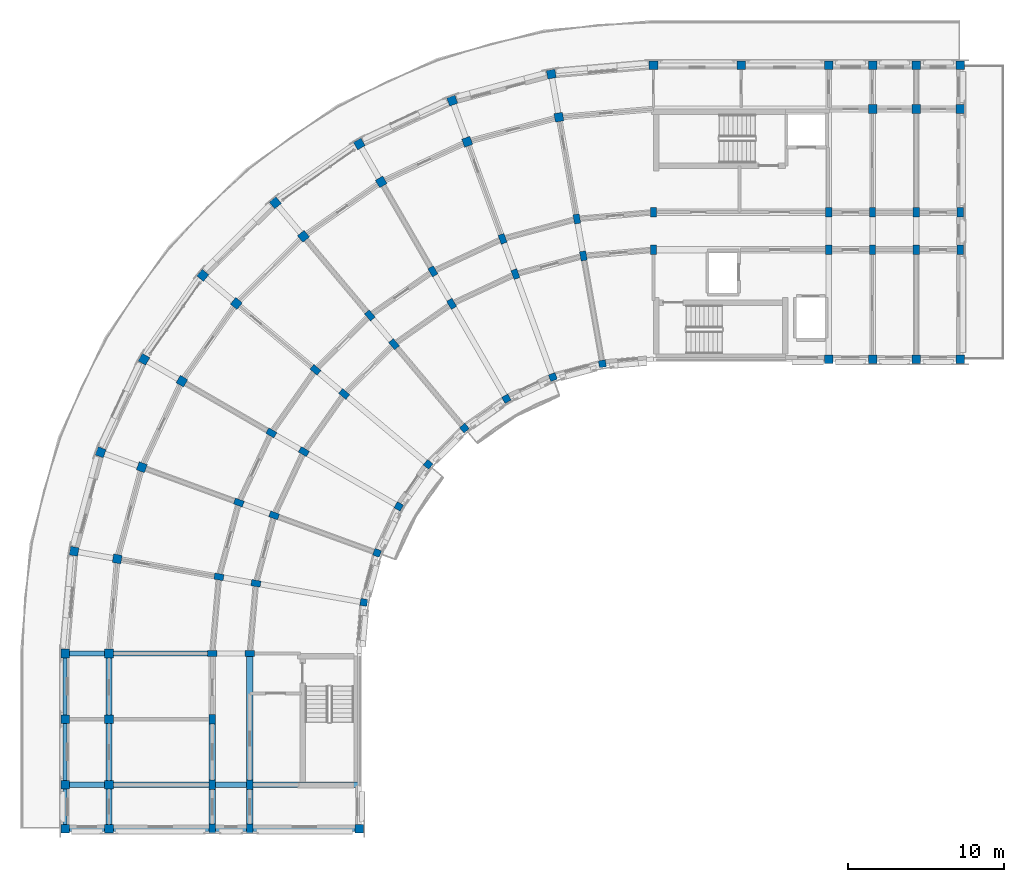
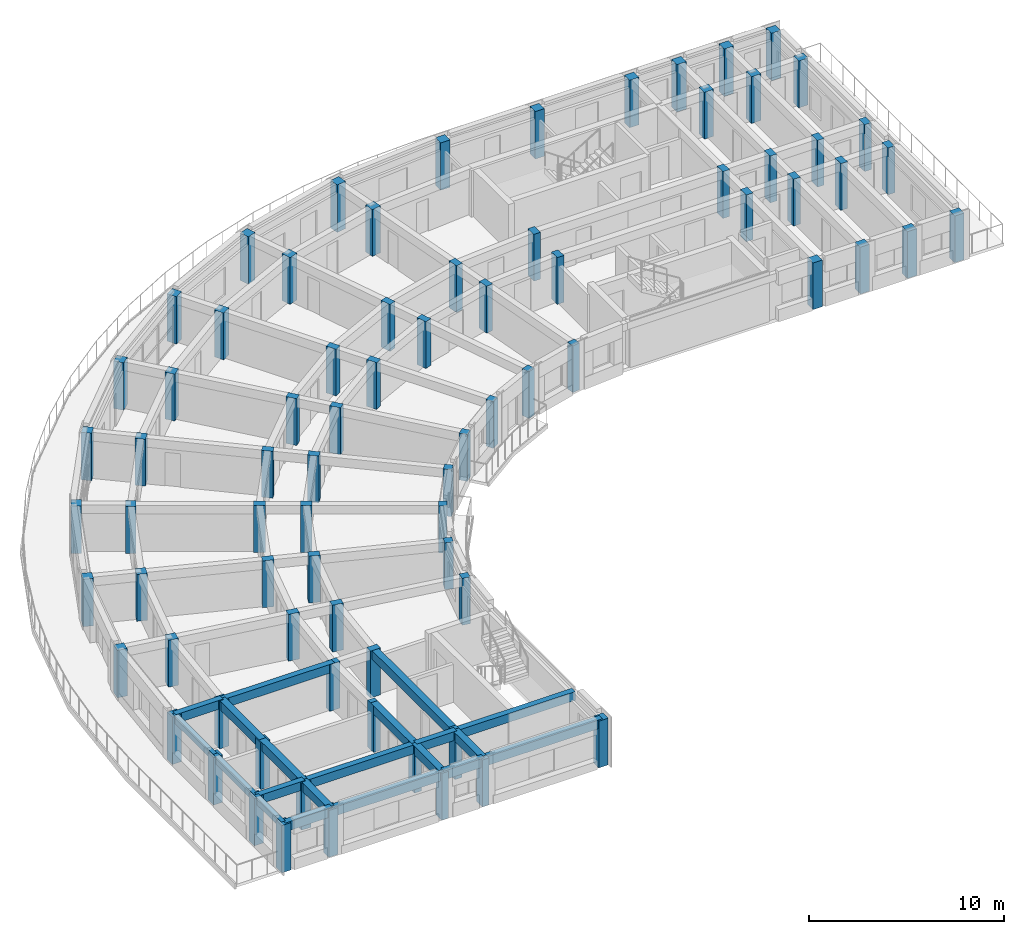
# One storey, part 1 of 16: 79 columns, 20 beams.
"""IFC4 building model written with IfcOpenShell, lengths in metres."""

from ifc_helpers import new_model, si_unit, direction, frame, origin, origin_2d, place, context, subcontext, project, spatial, rectangle, extrude, material, material_profile, profile_set, type_object, element, save


model = new_model("IFC4")

# Units and contexts
model_context = context("Model", 3, precision=1e-05, world=origin(), true_north=direction((0.0, 1.0)))
body_context = subcontext(model_context, "Body", "Model", "MODEL_VIEW")
ifc_project = project(units=[si_unit("LENGTHUNIT", "METRE"), si_unit("AREAUNIT", "SQUARE_METRE"), si_unit("VOLUMEUNIT", "CUBIC_METRE"), si_unit("PLANEANGLEUNIT", "RADIAN"), si_unit("MASSUNIT", "GRAM", prefix="KILO")], contexts=[model_context])

# Site, building, storey
site_placement = place(None, origin())
site = spatial("IfcSite", under=ifc_project, at=site_placement, CompositionType="ELEMENT")
building_placement = place(site_placement, origin())
building = spatial("IfcBuilding", under=site, at=building_placement, Name="Kiranvali Square Residences", CompositionType="ELEMENT")
storey_placement = place(building_placement, frame((0.0, 0.0, 46.5)))
storey = spatial("IfcBuildingStorey", under=building, at=storey_placement, Name="L14", CompositionType="ELEMENT", Elevation=46.5)

# Columns
ifc_material_1 = material(Name="Concrete M40 (40 MPa)", Category="concrete")
ifc_material_profile_1 = material_profile(ifc_material_1, rectangle(XDim=0.449951171875, YDim=0.449951171875, at=origin_2d()), Name="RC 450x450")
ifc_profile_set_1 = profile_set([ifc_material_profile_1], Name="Concrete M40 (40 MPa)")
column_type_1 = type_object("IfcColumnType", Name="COL-M40-450", PredefinedType="COLUMN", material=ifc_profile_set_1)
for number, where, z_axis, x_axis, name in (
    (1, (44.935302734375, 106.314453125, 0.0), (0.0, 0.0, 1.0), (0.984807753012, 0.173648177667, 0.0), "Block A L14 radial column A01-R0"),
    (2, (41.77001953125, 105.46630859375, 0.0), (0.0, 0.0, 1.0), (0.939692620786, 0.342020143326, 0.0), "Block A L14 radial column A02-R0"),
    (3, (38.800048828125, 104.081298828125, 0.0), (0.0, 0.0, 1.0), (0.866025403784, 0.5, 0.0), "Block A L14 radial column A03-R0"),
    (4, (36.115478515625, 102.20166015625, 0.0), (0.0, 0.0, 1.0), (0.766044443119, 0.642787609687, 0.0), "Block A L14 radial column A04-R0"),
    (5, (33.79833984375, 99.884521484375, 0.0), (0.0, 0.0, 1.0), (0.642787609687, 0.766044443119, 0.0), "Block A L14 radial column A05-R0"),
    (6, (31.918701171875, 97.199951171875, 0.0), (0.0, 0.0, 1.0), (0.5, 0.866025403784, 0.0), "Block A L14 radial column A06-R0"),
    (7, (30.53369140625, 94.22998046875, 0.0), (0.0, 0.0, 1.0), (0.342020143326, 0.939692620786, 0.0), "Block A L14 radial column A07-R0"),
    (8, (29.685546875, 91.064697265625, 0.0), (0.0, 0.0, 1.0), (0.173648177667, 0.984807753012, 0.0), "Block A L14 radial column A08-R0"),
):
    element("IfcColumn", number, at=place(storey_placement, frame(where, z_axis=z_axis, x_axis=x_axis)), inside=storey, type_object=column_type_1, Name=name, PredefinedType="COLUMN", context=body_context, shape_type="SweptSolid", body=[
        extrude(rectangle(XDim=0.449951171875, YDim=0.449951171875, at=origin_2d()), origin(), (0.0, 0.0, 1.0), 2.929931640625),
    ])
ifc_material_profile_2 = material_profile(ifc_material_1, rectangle(XDim=0.550048828125, YDim=0.550048828125, at=origin_2d()), Name="RC 550x550")
ifc_profile_set_2 = profile_set([ifc_material_profile_2], Name="Concrete M40 (40 MPa)")
column_type_2 = type_object("IfcColumnType", Name="COL-M40-550", PredefinedType="COLUMN", material=ifc_profile_set_2)
column_1_placement = place(storey_placement, frame((48.199951171875, 125.39990234375, 0.0), z_axis=(0.0, 0.0, 1.0), x_axis=(1.0, 0.0, 0.0)))
element("IfcColumn", 9, at=column_1_placement, inside=storey, type_object=column_type_2, Name="Block A L14 radial column A00-R4", PredefinedType="COLUMN", context=body_context, shape_type="SweptSolid", body=[
    extrude(rectangle(XDim=0.550048828125, YDim=0.550048828125, at=origin_2d()), origin(), (0.0, 0.0, 1.0), 2.969970703125),
])
column_2_placement = place(storey_placement, frame((42.156982421875, 122.0712890625, 0.0), z_axis=(0.0, 0.0, 1.0), x_axis=(0.984807753012, 0.173648177667, 0.0)))
element("IfcColumn", 10, at=column_2_placement, inside=storey, type_object=column_type_2, Name="Block A L14 radial column A01-R3", PredefinedType="COLUMN", context=body_context, shape_type="SweptSolid", body=[
    extrude(rectangle(XDim=0.550048828125, YDim=0.550048828125, at=origin_2d()), origin(), (0.0, 0.0, 1.0), 2.929931640625),
])
column_3_placement = place(storey_placement, frame((41.6708984375, 124.828857421875, 0.0), z_axis=(0.0, 0.0, 1.0), x_axis=(0.984807753012, 0.173648177667, 0.0)))
element("IfcColumn", 11, at=column_3_placement, inside=storey, type_object=column_type_2, Name="Block A L14 radial column A01-R4", PredefinedType="COLUMN", context=body_context, shape_type="SweptSolid", body=[
    extrude(rectangle(XDim=0.550048828125, YDim=0.550048828125, at=origin_2d()), origin(), (0.0, 0.0, 1.0), 2.969970703125),
])
column_4_placement = place(storey_placement, frame((36.297607421875, 120.501220703125, 0.0), z_axis=(0.0, 0.0, 1.0), x_axis=(0.939692620786, 0.342020143326, 0.0)))
element("IfcColumn", 12, at=column_4_placement, inside=storey, type_object=column_type_2, Name="Block A L14 radial column A02-R3", PredefinedType="COLUMN", context=body_context, shape_type="SweptSolid", body=[
    extrude(rectangle(XDim=0.550048828125, YDim=0.550048828125, at=origin_2d()), origin(), (0.0, 0.0, 1.0), 2.929931640625),
])
column_5_placement = place(storey_placement, frame((35.340087890625, 123.13232421875, 0.0), z_axis=(0.0, 0.0, 1.0), x_axis=(0.939692620786, 0.342020143326, 0.0)))
element("IfcColumn", 13, at=column_5_placement, inside=storey, type_object=column_type_2, Name="Block A L14 radial column A02-R4", PredefinedType="COLUMN", context=body_context, shape_type="SweptSolid", body=[
    extrude(rectangle(XDim=0.550048828125, YDim=0.550048828125, at=origin_2d()), origin(), (0.0, 0.0, 1.0), 2.969970703125),
])
column_6_placement = place(storey_placement, frame((30.800048828125, 117.937744140625, 0.0), z_axis=(0.0, 0.0, 1.0), x_axis=(0.866025403784, 0.5, 0.0)))
element("IfcColumn", 14, at=column_6_placement, inside=storey, type_object=column_type_2, Name="Block A L14 radial column A03-R3", PredefinedType="COLUMN", context=body_context, shape_type="SweptSolid", body=[
    extrude(rectangle(XDim=0.550048828125, YDim=0.550048828125, at=origin_2d()), origin(), (0.0, 0.0, 1.0), 2.929931640625),
])
column_7_placement = place(storey_placement, frame((29.39990234375, 120.362548828125, 0.0), z_axis=(0.0, 0.0, 1.0), x_axis=(0.866025403784, 0.5, 0.0)))
element("IfcColumn", 15, at=column_7_placement, inside=storey, type_object=column_type_2, Name="Block A L14 radial column A03-R4", PredefinedType="COLUMN", context=body_context, shape_type="SweptSolid", body=[
    extrude(rectangle(XDim=0.550048828125, YDim=0.550048828125, at=origin_2d()), origin(), (0.0, 0.0, 1.0), 2.969970703125),
])
column_8_placement = place(storey_placement, frame((25.8310546875, 114.458251953125, 0.0), z_axis=(0.0, 0.0, 1.0), x_axis=(0.766044443119, 0.642787609687, 0.0)))
element("IfcColumn", 16, at=column_8_placement, inside=storey, type_object=column_type_2, Name="Block A L14 radial column A04-R3", PredefinedType="COLUMN", context=body_context, shape_type="SweptSolid", body=[
    extrude(rectangle(XDim=0.550048828125, YDim=0.550048828125, at=origin_2d()), origin(), (0.0, 0.0, 1.0), 2.929931640625),
])
column_9_placement = place(storey_placement, frame((24.03125, 116.603271484375, 0.0), z_axis=(0.0, 0.0, 1.0), x_axis=(0.766044443119, 0.642787609687, 0.0)))
element("IfcColumn", 17, at=column_9_placement, inside=storey, type_object=column_type_2, Name="Block A L14 radial column A04-R4", PredefinedType="COLUMN", context=body_context, shape_type="SweptSolid", body=[
    extrude(rectangle(XDim=0.550048828125, YDim=0.550048828125, at=origin_2d()), origin(), (0.0, 0.0, 1.0), 2.969970703125),
])
column_10_placement = place(storey_placement, frame((21.541748046875, 110.1689453125, 0.0), z_axis=(0.0, 0.0, 1.0), x_axis=(0.642787609687, 0.766044443119, 0.0)))
element("IfcColumn", 18, at=column_10_placement, inside=storey, type_object=column_type_2, Name="Block A L14 radial column A05-R3", PredefinedType="COLUMN", context=body_context, shape_type="SweptSolid", body=[
    extrude(rectangle(XDim=0.550048828125, YDim=0.550048828125, at=origin_2d()), origin(), (0.0, 0.0, 1.0), 2.929931640625),
])
column_11_placement = place(storey_placement, frame((19.396728515625, 111.96875, 0.0), z_axis=(0.0, 0.0, 1.0), x_axis=(0.642787609687, 0.766044443119, 0.0)))
element("IfcColumn", 19, at=column_11_placement, inside=storey, type_object=column_type_2, Name="Block A L14 radial column A05-R4", PredefinedType="COLUMN", context=body_context, shape_type="SweptSolid", body=[
    extrude(rectangle(XDim=0.550048828125, YDim=0.550048828125, at=origin_2d()), origin(), (0.0, 0.0, 1.0), 2.969970703125),
])
column_12_placement = place(storey_placement, frame((18.062255859375, 105.199951171875, 0.0), z_axis=(0.0, 0.0, 1.0), x_axis=(0.5, 0.866025403784, 0.0)))
element("IfcColumn", 20, at=column_12_placement, inside=storey, type_object=column_type_2, Name="Block A L14 radial column A06-R3", PredefinedType="COLUMN", context=body_context, shape_type="SweptSolid", body=[
    extrude(rectangle(XDim=0.550048828125, YDim=0.550048828125, at=origin_2d()), origin(), (0.0, 0.0, 1.0), 2.929931640625),
])
column_13_placement = place(storey_placement, frame((15.637451171875, 106.60009765625, 0.0), z_axis=(0.0, 0.0, 1.0), x_axis=(0.5, 0.866025403784, 0.0)))
element("IfcColumn", 21, at=column_13_placement, inside=storey, type_object=column_type_2, Name="Block A L14 radial column A06-R4", PredefinedType="COLUMN", context=body_context, shape_type="SweptSolid", body=[
    extrude(rectangle(XDim=0.550048828125, YDim=0.550048828125, at=origin_2d()), origin(), (0.0, 0.0, 1.0), 2.969970703125),
])
column_14_placement = place(storey_placement, frame((15.498779296875, 99.702392578125, 0.0), z_axis=(0.0, 0.0, 1.0), x_axis=(0.342020143326, 0.939692620786, 0.0)))
element("IfcColumn", 22, at=column_14_placement, inside=storey, type_object=column_type_2, Name="Block A L14 radial column A07-R3", PredefinedType="COLUMN", context=body_context, shape_type="SweptSolid", body=[
    extrude(rectangle(XDim=0.550048828125, YDim=0.550048828125, at=origin_2d()), origin(), (0.0, 0.0, 1.0), 2.929931640625),
])
column_15_placement = place(storey_placement, frame((12.86767578125, 100.659912109375, 0.0), z_axis=(0.0, 0.0, 1.0), x_axis=(0.342020143326, 0.939692620786, 0.0)))
element("IfcColumn", 23, at=column_15_placement, inside=storey, type_object=column_type_2, Name="Block A L14 radial column A07-R4", PredefinedType="COLUMN", context=body_context, shape_type="SweptSolid", body=[
    extrude(rectangle(XDim=0.550048828125, YDim=0.550048828125, at=origin_2d()), origin(), (0.0, 0.0, 1.0), 2.969970703125),
])
column_16_placement = place(storey_placement, frame((13.9287109375, 93.843017578125, 0.0), z_axis=(0.0, 0.0, 1.0), x_axis=(0.173648177667, 0.984807753012, 0.0)))
element("IfcColumn", 24, at=column_16_placement, inside=storey, type_object=column_type_2, Name="Block A L14 radial column A08-R3", PredefinedType="COLUMN", context=body_context, shape_type="SweptSolid", body=[
    extrude(rectangle(XDim=0.550048828125, YDim=0.550048828125, at=origin_2d()), origin(), (0.0, 0.0, 1.0), 2.929931640625),
])
column_17_placement = place(storey_placement, frame((11.171142578125, 94.3291015625, 0.0), z_axis=(0.0, 0.0, 1.0), x_axis=(0.173648177667, 0.984807753012, 0.0)))
element("IfcColumn", 25, at=column_17_placement, inside=storey, type_object=column_type_2, Name="Block A L14 radial column A08-R4", PredefinedType="COLUMN", context=body_context, shape_type="SweptSolid", body=[
    extrude(rectangle(XDim=0.550048828125, YDim=0.550048828125, at=origin_2d()), origin(), (0.0, 0.0, 1.0), 2.969970703125),
])
column_18_placement = place(storey_placement, frame((13.39990234375, 87.800048828125, 0.0), z_axis=(0.0, 0.0, 1.0), x_axis=(0.0, 1.0, 0.0)))
element("IfcColumn", 26, at=column_18_placement, inside=storey, type_object=column_type_2, Name="Block A L14 radial column A09-R3", PredefinedType="COLUMN", context=body_context, shape_type="SweptSolid", body=[
    extrude(rectangle(XDim=0.550048828125, YDim=0.550048828125, at=origin_2d()), origin(), (0.0, 0.0, 1.0), 2.929931640625),
])
for number, where, z_axis, x_axis, name in (
    (27, (10.60009765625, 87.800048828125, 0.0), (0.0, 0.0, 1.0), (0.0, 1.0, 0.0), "Block A L14 radial column A09-R4"),
    (28, (53.800048828125, 125.39990234375, 0.0), (0.0, 0.0, 1.0), (1.0, 0.0, 0.0), "Block A L14 core-front column U0-R4"),
):
    element("IfcColumn", number, at=place(storey_placement, frame(where, z_axis=z_axis, x_axis=x_axis)), inside=storey, type_object=column_type_2, Name=name, PredefinedType="COLUMN", context=body_context, shape_type="SweptSolid", body=[
        extrude(rectangle(XDim=0.550048828125, YDim=0.550048828125, at=origin_2d()), origin(), (0.0, 0.0, 1.0), 2.969970703125),
    ])
column_19_placement = place(storey_placement, frame((59.39990234375, 106.60009765625, 0.0), z_axis=(0.0, 0.0, 1.0), x_axis=(1.0, 0.0, 0.0)))
element("IfcColumn", 29, at=column_19_placement, inside=storey, type_object=column_type_2, Name="Block A L14 Arm 1 column U1-R0", PredefinedType="COLUMN", context=body_context, shape_type="SweptSolid", body=[
    extrude(rectangle(XDim=0.550048828125, YDim=0.550048828125, at=origin_2d()), origin(), (0.0, 0.0, 1.0), 2.929931640625),
])
column_20_placement = place(storey_placement, frame((59.39990234375, 125.39990234375, 0.0), z_axis=(0.0, 0.0, 1.0), x_axis=(1.0, 0.0, 0.0)))
element("IfcColumn", 30, at=column_20_placement, inside=storey, type_object=column_type_2, Name="Block A L14 Arm 1 column U1-R4", PredefinedType="COLUMN", context=body_context, shape_type="SweptSolid", body=[
    extrude(rectangle(XDim=0.550048828125, YDim=0.550048828125, at=origin_2d()), origin(), (0.0, 0.0, 1.0), 2.969970703125),
])
for number, where, z_axis, x_axis, name in (
    (31, (62.199951171875, 106.60009765625, 0.0), (0.0, 0.0, 1.0), (1.0, 0.0, 0.0), "Block A L14 Arm 1 column U2-R0"),
    (32, (62.199951171875, 122.60009765625, 0.0), (0.0, 0.0, 1.0), (1.0, 0.0, 0.0), "Block A L14 Arm 1 column U2-R3"),
):
    element("IfcColumn", number, at=place(storey_placement, frame(where, z_axis=z_axis, x_axis=x_axis)), inside=storey, type_object=column_type_2, Name=name, PredefinedType="COLUMN", context=body_context, shape_type="SweptSolid", body=[
        extrude(rectangle(XDim=0.550048828125, YDim=0.550048828125, at=origin_2d()), origin(), (0.0, 0.0, 1.0), 2.929931640625),
    ])
column_21_placement = place(storey_placement, frame((62.199951171875, 125.39990234375, 0.0), z_axis=(0.0, 0.0, 1.0), x_axis=(1.0, 0.0, 0.0)))
element("IfcColumn", 33, at=column_21_placement, inside=storey, type_object=column_type_2, Name="Block A L14 Arm 1 column U2-R4", PredefinedType="COLUMN", context=body_context, shape_type="SweptSolid", body=[
    extrude(rectangle(XDim=0.550048828125, YDim=0.550048828125, at=origin_2d()), origin(), (0.0, 0.0, 1.0), 2.969970703125),
])
for number, where, z_axis, x_axis, name in (
    (34, (65.0, 106.60009765625, 0.0), (0.0, 0.0, 1.0), (1.0, 0.0, 0.0), "Block A L14 Arm 1 column U3-R0"),
    (35, (65.0, 122.60009765625, 0.0), (0.0, 0.0, 1.0), (1.0, 0.0, 0.0), "Block A L14 Arm 1 column U3-R3"),
):
    element("IfcColumn", number, at=place(storey_placement, frame(where, z_axis=z_axis, x_axis=x_axis)), inside=storey, type_object=column_type_2, Name=name, PredefinedType="COLUMN", context=body_context, shape_type="SweptSolid", body=[
        extrude(rectangle(XDim=0.550048828125, YDim=0.550048828125, at=origin_2d()), origin(), (0.0, 0.0, 1.0), 2.929931640625),
    ])
column_22_placement = place(storey_placement, frame((65.0, 125.39990234375, 0.0), z_axis=(0.0, 0.0, 1.0), x_axis=(1.0, 0.0, 0.0)))
element("IfcColumn", 36, at=column_22_placement, inside=storey, type_object=column_type_2, Name="Block A L14 Arm 1 column U3-R4", PredefinedType="COLUMN", context=body_context, shape_type="SweptSolid", body=[
    extrude(rectangle(XDim=0.550048828125, YDim=0.550048828125, at=origin_2d()), origin(), (0.0, 0.0, 1.0), 2.969970703125),
])
for number, where, z_axis, x_axis, name in (
    (37, (67.800048828125, 106.60009765625, 0.0), (0.0, 0.0, 1.0), (1.0, 0.0, 0.0), "Block A L14 Arm 1 column U4-R0"),
    (38, (67.800048828125, 122.60009765625, 0.0), (0.0, 0.0, 1.0), (1.0, 0.0, 0.0), "Block A L14 Arm 1 column U4-R3"),
):
    element("IfcColumn", number, at=place(storey_placement, frame(where, z_axis=z_axis, x_axis=x_axis)), inside=storey, type_object=column_type_2, Name=name, PredefinedType="COLUMN", context=body_context, shape_type="SweptSolid", body=[
        extrude(rectangle(XDim=0.550048828125, YDim=0.550048828125, at=origin_2d()), origin(), (0.0, 0.0, 1.0), 2.929931640625),
    ])
column_23_placement = place(storey_placement, frame((67.800048828125, 125.39990234375, 0.0), z_axis=(0.0, 0.0, 1.0), x_axis=(1.0, 0.0, 0.0)))
element("IfcColumn", 39, at=column_23_placement, inside=storey, type_object=column_type_2, Name="Block A L14 Arm 1 column U4-R4", PredefinedType="COLUMN", context=body_context, shape_type="SweptSolid", body=[
    extrude(rectangle(XDim=0.550048828125, YDim=0.550048828125, at=origin_2d()), origin(), (0.0, 0.0, 1.0), 2.969970703125),
])
column_24_placement = place(storey_placement, frame((13.39990234375, 83.60009765625, 0.0), z_axis=(0.0, 0.0, 1.0), x_axis=(1.0, 0.0, 0.0)))
element("IfcColumn", 40, at=column_24_placement, inside=storey, type_object=column_type_2, Name="Block A L14 Arm 2 mid-core column V0-R3", PredefinedType="COLUMN", context=body_context, shape_type="SweptSolid", body=[
    extrude(rectangle(XDim=0.550048828125, YDim=0.550048828125, at=origin_2d()), origin(), (0.0, 0.0, 1.0), 2.929931640625),
])
column_25_placement = place(storey_placement, frame((10.60009765625, 83.60009765625, 0.0), z_axis=(0.0, 0.0, 1.0), x_axis=(1.0, 0.0, 0.0)))
element("IfcColumn", 41, at=column_25_placement, inside=storey, type_object=column_type_2, Name="Block A L14 Arm 2 mid-core column V0-R4", PredefinedType="COLUMN", context=body_context, shape_type="SweptSolid", body=[
    extrude(rectangle(XDim=0.550048828125, YDim=0.550048828125, at=origin_2d()), origin(), (0.0, 0.0, 1.0), 2.969970703125),
])
column_26_placement = place(storey_placement, frame((13.39990234375, 79.39990234375, 0.0), z_axis=(0.0, 0.0, 1.0), x_axis=(1.0, 0.0, 0.0)))
element("IfcColumn", 42, at=column_26_placement, inside=storey, type_object=column_type_2, Name="Block A L14 Arm 2 column V1-R3", PredefinedType="COLUMN", context=body_context, shape_type="SweptSolid", body=[
    extrude(rectangle(XDim=0.550048828125, YDim=0.550048828125, at=origin_2d()), origin(), (0.0, 0.0, 1.0), 2.929931640625),
])
column_27_placement = place(storey_placement, frame((10.60009765625, 79.39990234375, 0.0), z_axis=(0.0, 0.0, 1.0), x_axis=(1.0, 0.0, 0.0)))
element("IfcColumn", 43, at=column_27_placement, inside=storey, type_object=column_type_2, Name="Block A L14 Arm 2 column V1-R4", PredefinedType="COLUMN", context=body_context, shape_type="SweptSolid", body=[
    extrude(rectangle(XDim=0.550048828125, YDim=0.550048828125, at=origin_2d()), origin(), (0.0, 0.0, 1.0), 2.969970703125),
])
for number, where, z_axis, x_axis, name in (
    (44, (29.39990234375, 76.60009765625, 0.0), (0.0, 0.0, 1.0), (1.0, 0.0, 0.0), "Block A L14 Arm 2 column V2-R0"),
    (45, (13.39990234375, 76.60009765625, 0.0), (0.0, 0.0, 1.0), (1.0, 0.0, 0.0), "Block A L14 Arm 2 column V2-R3"),
):
    element("IfcColumn", number, at=place(storey_placement, frame(where, z_axis=z_axis, x_axis=x_axis)), inside=storey, type_object=column_type_2, Name=name, PredefinedType="COLUMN", context=body_context, shape_type="SweptSolid", body=[
        extrude(rectangle(XDim=0.550048828125, YDim=0.550048828125, at=origin_2d()), origin(), (0.0, 0.0, 1.0), 2.929931640625),
    ])
column_28_placement = place(storey_placement, frame((10.60009765625, 76.60009765625, 0.0), z_axis=(0.0, 0.0, 1.0), x_axis=(1.0, 0.0, 0.0)))
element("IfcColumn", 46, at=column_28_placement, inside=storey, type_object=column_type_2, Name="Block A L14 Arm 2 column V2-R4", PredefinedType="COLUMN", context=body_context, shape_type="SweptSolid", body=[
    extrude(rectangle(XDim=0.550048828125, YDim=0.550048828125, at=origin_2d()), origin(), (0.0, 0.0, 1.0), 2.969970703125),
])
ifc_material_profile_3 = material_profile(ifc_material_1, rectangle(XDim=0.39990234375, YDim=0.60009765625, at=origin_2d()), Name="RC 600x400")
ifc_profile_set_3 = profile_set([ifc_material_profile_3], Name="Concrete M40 (40 MPa)")
column_type_3 = type_object("IfcColumnType", Name="COL-M40-600x400", PredefinedType="COLUMN", material=ifc_profile_set_3)
for number, where, z_axis, x_axis, name in (
    (47, (48.199951171875, 113.60009765625, 0.0), (0.0, 0.0, 1.0), (1.0, 0.0, 0.0), "Block A L14 radial column A00-R1"),
    (48, (48.199951171875, 116.0, 0.0), (0.0, 0.0, 1.0), (1.0, 0.0, 0.0), "Block A L14 radial column A00-R2"),
    (49, (43.719970703125, 113.2080078125, 0.0), (0.0, 0.0, 1.0), (0.984807753012, 0.173648177667, 0.0), "Block A L14 radial column A01-R1"),
    (50, (43.30322265625, 115.571533203125, 0.0), (0.0, 0.0, 1.0), (0.984807753012, 0.173648177667, 0.0), "Block A L14 radial column A01-R2"),
    (51, (39.3759765625, 112.044189453125, 0.0), (0.0, 0.0, 1.0), (0.939692620786, 0.342020143326, 0.0), "Block A L14 radial column A02-R1"),
    (52, (38.554931640625, 114.29931640625, 0.0), (0.0, 0.0, 1.0), (0.939692620786, 0.342020143326, 0.0), "Block A L14 radial column A02-R2"),
    (53, (35.300048828125, 110.1435546875, 0.0), (0.0, 0.0, 1.0), (0.866025403784, 0.5, 0.0), "Block A L14 radial column A03-R1"),
    (54, (34.10009765625, 112.221923828125, 0.0), (0.0, 0.0, 1.0), (0.866025403784, 0.5, 0.0), "Block A L14 radial column A03-R2"),
    (55, (31.615966796875, 107.56396484375, 0.0), (0.0, 0.0, 1.0), (0.766044443119, 0.642787609687, 0.0), "Block A L14 radial column A04-R1"),
    (56, (30.073486328125, 109.40234375, 0.0), (0.0, 0.0, 1.0), (0.766044443119, 0.642787609687, 0.0), "Block A L14 radial column A04-R2"),
    (57, (28.43603515625, 104.384033203125, 0.0), (0.0, 0.0, 1.0), (0.642787609687, 0.766044443119, 0.0), "Block A L14 radial column A05-R1"),
    (58, (26.59765625, 105.926513671875, 0.0), (0.0, 0.0, 1.0), (0.642787609687, 0.766044443119, 0.0), "Block A L14 radial column A05-R2"),
    (59, (25.8564453125, 100.699951171875, 0.0), (0.0, 0.0, 1.0), (0.5, 0.866025403784, 0.0), "Block A L14 radial column A06-R1"),
    (60, (23.778076171875, 101.89990234375, 0.0), (0.0, 0.0, 1.0), (0.5, 0.866025403784, 0.0), "Block A L14 radial column A06-R2"),
    (61, (23.955810546875, 96.6240234375, 0.0), (0.0, 0.0, 1.0), (0.342020143326, 0.939692620786, 0.0), "Block A L14 radial column A07-R1"),
    (62, (21.70068359375, 97.445068359375, 0.0), (0.0, 0.0, 1.0), (0.342020143326, 0.939692620786, 0.0), "Block A L14 radial column A07-R2"),
    (63, (22.7919921875, 92.280029296875, 0.0), (0.0, 0.0, 1.0), (0.173648177667, 0.984807753012, 0.0), "Block A L14 radial column A08-R1"),
    (64, (20.428466796875, 92.69677734375, 0.0), (0.0, 0.0, 1.0), (0.173648177667, 0.984807753012, 0.0), "Block A L14 radial column A08-R2"),
    (65, (22.39990234375, 87.800048828125, 0.0), (0.0, 0.0, 1.0), (0.0, 1.0, 0.0), "Block A L14 radial column A09-R1"),
    (66, (20.0, 87.800048828125, 0.0), (0.0, 0.0, 1.0), (0.0, 1.0, 0.0), "Block A L14 radial column A09-R2"),
    (67, (59.39990234375, 113.60009765625, 0.0), (0.0, 0.0, 1.0), (1.0, 0.0, 0.0), "Block A L14 Arm 1 column U1-R1"),
    (68, (59.39990234375, 116.0, 0.0), (0.0, 0.0, 1.0), (1.0, 0.0, 0.0), "Block A L14 Arm 1 column U1-R2"),
    (69, (62.199951171875, 113.60009765625, 0.0), (0.0, 0.0, 1.0), (1.0, 0.0, 0.0), "Block A L14 Arm 1 column U2-R1"),
    (70, (62.199951171875, 116.0, 0.0), (0.0, 0.0, 1.0), (1.0, 0.0, 0.0), "Block A L14 Arm 1 column U2-R2"),
    (71, (65.0, 113.60009765625, 0.0), (0.0, 0.0, 1.0), (1.0, 0.0, 0.0), "Block A L14 Arm 1 column U3-R1"),
    (72, (65.0, 116.0, 0.0), (0.0, 0.0, 1.0), (1.0, 0.0, 0.0), "Block A L14 Arm 1 column U3-R2"),
    (73, (67.800048828125, 113.60009765625, 0.0), (0.0, 0.0, 1.0), (1.0, 0.0, 0.0), "Block A L14 Arm 1 column U4-R1"),
    (74, (67.800048828125, 116.0, 0.0), (0.0, 0.0, 1.0), (1.0, 0.0, 0.0), "Block A L14 Arm 1 column U4-R2"),
    (75, (20.0, 83.60009765625, 0.0), (0.0, 0.0, 1.0), (1.0, 0.0, 0.0), "Block A L14 Arm 2 mid-core column V0-R2"),
    (76, (22.39990234375, 79.39990234375, 0.0), (0.0, 0.0, 1.0), (1.0, 0.0, 0.0), "Block A L14 Arm 2 column V1-R1"),
    (77, (20.0, 79.39990234375, 0.0), (0.0, 0.0, 1.0), (1.0, 0.0, 0.0), "Block A L14 Arm 2 column V1-R2"),
    (78, (22.39990234375, 76.60009765625, 0.0), (0.0, 0.0, 1.0), (1.0, 0.0, 0.0), "Block A L14 Arm 2 column V2-R1"),
    (79, (20.0, 76.60009765625, 0.0), (0.0, 0.0, 1.0), (1.0, 0.0, 0.0), "Block A L14 Arm 2 column V2-R2"),
):
    element("IfcColumn", number, at=place(storey_placement, frame(where, z_axis=z_axis, x_axis=x_axis)), inside=storey, type_object=column_type_3, Name=name, PredefinedType="COLUMN", context=body_context, shape_type="SweptSolid", body=[
        extrude(rectangle(XDim=0.39990234375, YDim=0.60009765625, at=origin_2d()), origin(), (0.0, 0.0, 1.0), 2.929931640625),
    ])

# Beams
ifc_material_profile_4 = material_profile(ifc_material_1, rectangle(XDim=0.35009765625, YDim=0.550048828125, at=origin_2d()), Name="RC 350x550")
ifc_profile_set_4 = profile_set([ifc_material_profile_4], Name="Concrete M40 (40 MPa)")
beam_type_1 = type_object("IfcBeamType", Name="BM-M40-350x550", PredefinedType="BEAM", material=ifc_profile_set_4)
beam_1_placement = place(storey_placement, frame((20.0, 87.800048828125, 2.655029296875), z_axis=(-1.0, 0.0, 0.0), x_axis=(0.0, -1.0, 0.0)))
element("IfcBeam", 80, at=beam_1_placement, inside=storey, type_object=beam_type_1, Name="L14 beam BM-A-L14-A2T0-23", PredefinedType="BEAM", context=body_context, shape_type="SweptSolid", body=[
    extrude(rectangle(XDim=0.35009765625, YDim=0.550048828125, at=origin_2d()), origin(), (0.0, 0.0, 1.0), 6.60009765625),
])
beam_2_placement = place(storey_placement, frame((13.39990234375, 87.800048828125, 2.695068359375), z_axis=(-1.0, 0.0, 0.0), x_axis=(0.0, -1.0, 0.0)))
element("IfcBeam", 81, at=beam_2_placement, inside=storey, type_object=beam_type_1, Name="L14 beam BM-A-L14-A2T0-34", PredefinedType="BEAM", context=body_context, shape_type="SweptSolid", body=[
    extrude(rectangle(XDim=0.35009765625, YDim=0.550048828125, at=origin_2d()), origin(), (0.0, 0.0, 1.0), 2.7998046875),
])
beam_3_placement = place(storey_placement, frame((29.39990234375, 79.39990234375, 2.655029296875), z_axis=(-1.0, 0.0, 0.0), x_axis=(0.0, -1.0, 0.0)))
element("IfcBeam", 82, at=beam_3_placement, inside=storey, type_object=beam_type_1, Name="L14 beam BM-A-L14-A2T1-01", PredefinedType="BEAM", context=body_context, shape_type="SweptSolid", body=[
    extrude(rectangle(XDim=0.35009765625, YDim=0.550048828125, at=origin_2d()), origin(), (0.0, 0.0, 1.0), 7.0),
])
beam_4_placement = place(storey_placement, frame((22.39990234375, 79.39990234375, 2.655029296875), z_axis=(-1.0, 0.0, 0.0), x_axis=(0.0, -1.0, 0.0)))
element("IfcBeam", 83, at=beam_4_placement, inside=storey, type_object=beam_type_1, Name="L14 beam BM-A-L14-A2T1-12", PredefinedType="BEAM", context=body_context, shape_type="SweptSolid", body=[
    extrude(rectangle(XDim=0.35009765625, YDim=0.550048828125, at=origin_2d()), origin(), (0.0, 0.0, 1.0), 2.39990234375),
])
beam_5_placement = place(storey_placement, frame((20.0, 79.39990234375, 2.655029296875), z_axis=(-1.0, 0.0, 0.0), x_axis=(0.0, -1.0, 0.0)))
element("IfcBeam", 84, at=beam_5_placement, inside=storey, type_object=beam_type_1, Name="L14 beam BM-A-L14-A2T1-23", PredefinedType="BEAM", context=body_context, shape_type="SweptSolid", body=[
    extrude(rectangle(XDim=0.35009765625, YDim=0.550048828125, at=origin_2d()), origin(), (0.0, 0.0, 1.0), 6.60009765625),
])
beam_6_placement = place(storey_placement, frame((13.39990234375, 79.39990234375, 2.695068359375), z_axis=(-1.0, 0.0, 0.0), x_axis=(0.0, -1.0, 0.0)))
element("IfcBeam", 85, at=beam_6_placement, inside=storey, type_object=beam_type_1, Name="L14 beam BM-A-L14-A2T1-34", PredefinedType="BEAM", context=body_context, shape_type="SweptSolid", body=[
    extrude(rectangle(XDim=0.35009765625, YDim=0.550048828125, at=origin_2d()), origin(), (0.0, 0.0, 1.0), 2.7998046875),
])
beam_7_placement = place(storey_placement, frame((29.39990234375, 76.60009765625, 2.655029296875), z_axis=(-1.0, 0.0, 0.0), x_axis=(0.0, -1.0, 0.0)))
element("IfcBeam", 86, at=beam_7_placement, inside=storey, type_object=beam_type_1, Name="L14 beam BM-A-L14-A2T2-01", PredefinedType="BEAM", context=body_context, shape_type="SweptSolid", body=[
    extrude(rectangle(XDim=0.35009765625, YDim=0.550048828125, at=origin_2d()), origin(), (0.0, 0.0, 1.0), 7.0),
])
beam_8_placement = place(storey_placement, frame((22.39990234375, 76.60009765625, 2.655029296875), z_axis=(-1.0, 0.0, 0.0), x_axis=(0.0, -1.0, 0.0)))
element("IfcBeam", 87, at=beam_8_placement, inside=storey, type_object=beam_type_1, Name="L14 beam BM-A-L14-A2T2-12", PredefinedType="BEAM", context=body_context, shape_type="SweptSolid", body=[
    extrude(rectangle(XDim=0.35009765625, YDim=0.550048828125, at=origin_2d()), origin(), (0.0, 0.0, 1.0), 2.39990234375),
])
beam_9_placement = place(storey_placement, frame((20.0, 76.60009765625, 2.655029296875), z_axis=(-1.0, 0.0, 0.0), x_axis=(0.0, -1.0, 0.0)))
element("IfcBeam", 88, at=beam_9_placement, inside=storey, type_object=beam_type_1, Name="L14 beam BM-A-L14-A2T2-23", PredefinedType="BEAM", context=body_context, shape_type="SweptSolid", body=[
    extrude(rectangle(XDim=0.35009765625, YDim=0.550048828125, at=origin_2d()), origin(), (0.0, 0.0, 1.0), 6.60009765625),
])
beam_10_placement = place(storey_placement, frame((13.39990234375, 76.60009765625, 2.695068359375), z_axis=(-1.0, 0.0, 0.0), x_axis=(0.0, -1.0, 0.0)))
element("IfcBeam", 89, at=beam_10_placement, inside=storey, type_object=beam_type_1, Name="L14 beam BM-A-L14-A2T2-34", PredefinedType="BEAM", context=body_context, shape_type="SweptSolid", body=[
    extrude(rectangle(XDim=0.35009765625, YDim=0.550048828125, at=origin_2d()), origin(), (0.0, 0.0, 1.0), 2.7998046875),
])
ifc_material_2 = material(Name="Concrete M45 (45 MPa)", Category="concrete")
ifc_material_profile_5 = material_profile(ifc_material_2, rectangle(XDim=0.39990234375, YDim=0.550048828125, at=origin_2d()), Name="RC 400x550")
ifc_profile_set_5 = profile_set([ifc_material_profile_5], Name="Concrete M45 (45 MPa)")
beam_type_2 = type_object("IfcBeamType", Name="BM-M45-400x550", PredefinedType="BEAM", material=ifc_profile_set_5)
beam_11_placement = place(storey_placement, frame((22.39990234375, 87.800048828125, 2.655029296875), z_axis=(0.0, -1.0, 0.0), x_axis=(1.0, 0.0, 0.0)))
element("IfcBeam", 90, at=beam_11_placement, inside=storey, type_object=beam_type_2, Name="L14 beam BM-A-L14-A2V0-R1", PredefinedType="BEAM", context=body_context, shape_type="SweptSolid", body=[
    extrude(rectangle(XDim=0.39990234375, YDim=0.550048828125, at=origin_2d()), origin(), (0.0, 0.0, 1.0), 8.400146484375),
])
beam_12_placement = place(storey_placement, frame((22.39990234375, 79.39990234375, 2.655029296875), z_axis=(0.0, -1.0, 0.0), x_axis=(1.0, 0.0, 0.0)))
element("IfcBeam", 91, at=beam_12_placement, inside=storey, type_object=beam_type_2, Name="L14 beam BM-A-L14-A2V1-R1", PredefinedType="BEAM", context=body_context, shape_type="SweptSolid", body=[
    extrude(rectangle(XDim=0.39990234375, YDim=0.550048828125, at=origin_2d()), origin(), (0.0, 0.0, 1.0), 2.7998046875),
])
beam_13_placement = place(storey_placement, frame((20.0, 83.60009765625, 2.655029296875), z_axis=(0.0, -1.0, 0.0), x_axis=(1.0, 0.0, 0.0)))
element("IfcBeam", 92, at=beam_13_placement, inside=storey, type_object=beam_type_2, Name="L14 beam BM-A-L14-A2V1-R2", PredefinedType="BEAM", context=body_context, shape_type="SweptSolid", body=[
    extrude(rectangle(XDim=0.39990234375, YDim=0.550048828125, at=origin_2d()), origin(), (0.0, 0.0, 1.0), 4.2001953125),
])
beam_14_placement = place(storey_placement, frame((20.0, 79.39990234375, 2.655029296875), z_axis=(0.0, -1.0, 0.0), x_axis=(1.0, 0.0, 0.0)))
element("IfcBeam", 93, at=beam_14_placement, inside=storey, type_object=beam_type_2, Name="L14 beam BM-A-L14-A2V2-R2", PredefinedType="BEAM", context=body_context, shape_type="SweptSolid", body=[
    extrude(rectangle(XDim=0.39990234375, YDim=0.550048828125, at=origin_2d()), origin(), (0.0, 0.0, 1.0), 2.7998046875),
])
beam_15_placement = place(storey_placement, frame((13.39990234375, 87.800048828125, 2.655029296875), z_axis=(0.0, -1.0, 0.0), x_axis=(1.0, 0.0, 0.0)))
element("IfcBeam", 94, at=beam_15_placement, inside=storey, type_object=beam_type_2, Name="L14 beam BM-A-L14-A2V0-R3", PredefinedType="BEAM", context=body_context, shape_type="SweptSolid", body=[
    extrude(rectangle(XDim=0.39990234375, YDim=0.550048828125, at=origin_2d()), origin(), (0.0, 0.0, 1.0), 4.199951171875),
])
beam_16_placement = place(storey_placement, frame((13.39990234375, 83.60009765625, 2.655029296875), z_axis=(0.0, -1.0, 0.0), x_axis=(1.0, 0.0, 0.0)))
element("IfcBeam", 95, at=beam_16_placement, inside=storey, type_object=beam_type_2, Name="L14 beam BM-A-L14-A2V1-R3", PredefinedType="BEAM", context=body_context, shape_type="SweptSolid", body=[
    extrude(rectangle(XDim=0.39990234375, YDim=0.550048828125, at=origin_2d()), origin(), (0.0, 0.0, 1.0), 4.2001953125),
])
beam_17_placement = place(storey_placement, frame((13.39990234375, 79.39990234375, 2.655029296875), z_axis=(0.0, -1.0, 0.0), x_axis=(1.0, 0.0, 0.0)))
element("IfcBeam", 96, at=beam_17_placement, inside=storey, type_object=beam_type_2, Name="L14 beam BM-A-L14-A2V2-R3", PredefinedType="BEAM", context=body_context, shape_type="SweptSolid", body=[
    extrude(rectangle(XDim=0.39990234375, YDim=0.550048828125, at=origin_2d()), origin(), (0.0, 0.0, 1.0), 2.7998046875),
])
ifc_material_profile_6 = material_profile(ifc_material_1, rectangle(XDim=0.25, YDim=0.449951171875, at=origin_2d()), Name="RC 250x450")
ifc_profile_set_6 = profile_set([ifc_material_profile_6], Name="Concrete M40 (40 MPa)")
beam_type_3 = type_object("IfcBeamType", Name="SPN-M40-250x450", PredefinedType="SPANDREL", material=ifc_profile_set_6)
beam_18_placement = place(storey_placement, frame((10.60009765625, 87.800048828125, 2.7451171875), z_axis=(0.0, -1.0, 0.0), x_axis=(1.0, 0.0, 0.0)))
element("IfcBeam", 97, at=beam_18_placement, inside=storey, type_object=beam_type_3, Name="L14 beam BM-A-L14-A2V0-R4", PredefinedType="SPANDREL", context=body_context, shape_type="SweptSolid", body=[
    extrude(rectangle(XDim=0.25, YDim=0.449951171875, at=origin_2d()), origin(), (0.0, 0.0, 1.0), 4.199951171875),
])
beam_19_placement = place(storey_placement, frame((10.60009765625, 83.60009765625, 2.7451171875), z_axis=(0.0, -1.0, 0.0), x_axis=(1.0, 0.0, 0.0)))
element("IfcBeam", 98, at=beam_19_placement, inside=storey, type_object=beam_type_3, Name="L14 beam BM-A-L14-A2V1-R4", PredefinedType="SPANDREL", context=body_context, shape_type="SweptSolid", body=[
    extrude(rectangle(XDim=0.25, YDim=0.449951171875, at=origin_2d()), origin(), (0.0, 0.0, 1.0), 4.2001953125),
])
beam_20_placement = place(storey_placement, frame((10.60009765625, 79.39990234375, 2.7451171875), z_axis=(0.0, -1.0, 0.0), x_axis=(1.0, 0.0, 0.0)))
element("IfcBeam", 99, at=beam_20_placement, inside=storey, type_object=beam_type_3, Name="L14 beam BM-A-L14-A2V2-R4", PredefinedType="SPANDREL", context=body_context, shape_type="SweptSolid", body=[
    extrude(rectangle(XDim=0.25, YDim=0.449951171875, at=origin_2d()), origin(), (0.0, 0.0, 1.0), 2.7998046875),
])

save(model, "model.ifc")
